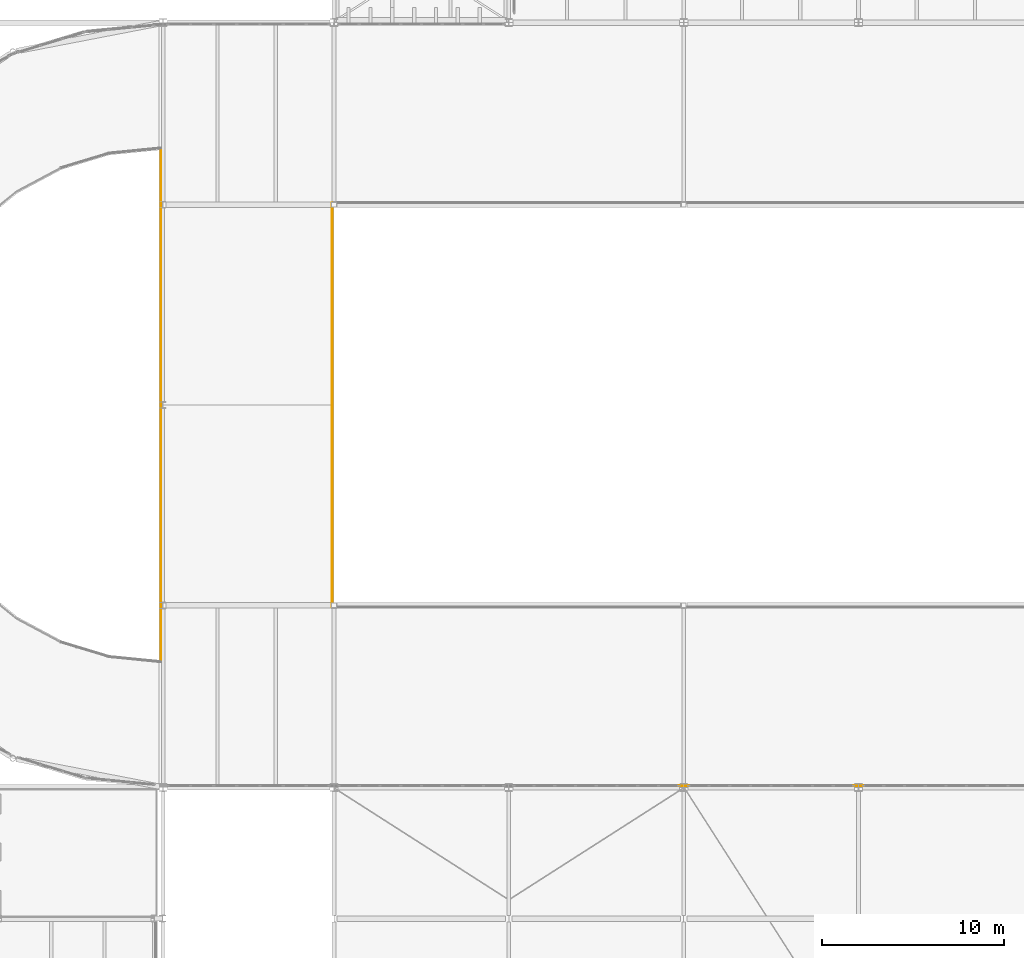
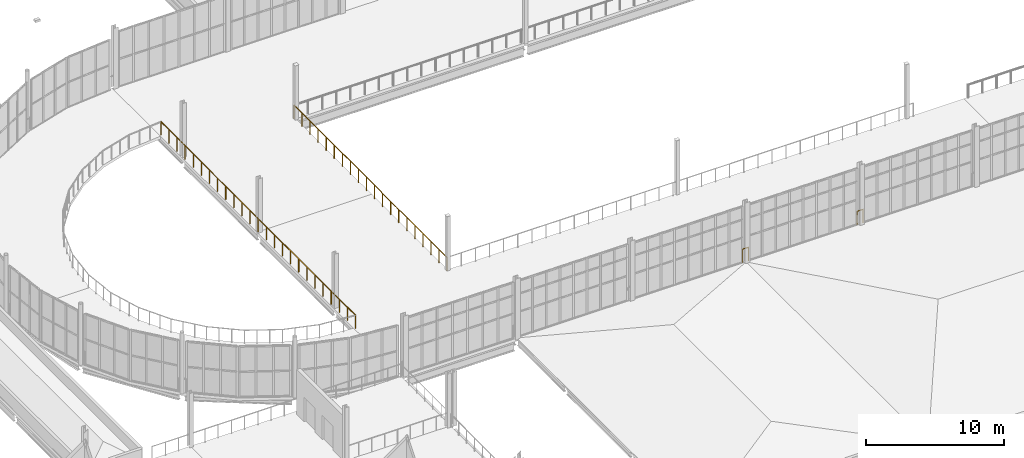
# One storey, part 104 of 112: 4 railings.
"""IFC4 building model written with IfcOpenShell, lengths in metres."""

from ifc_helpers import new_model, si_unit, direction, frame, origin, origin_2d, place, context, subcontext, project, spatial, circle, extrude, material, type_object, element, save


model = new_model("IFC4")

# Units and contexts
model_context = context("Model", 3, precision=1e-05, world=origin(), true_north=direction((0.0, 1.0)))
body_context = subcontext(model_context, "Body", "Model", "MODEL_VIEW")
ifc_project = project(units=[si_unit("LENGTHUNIT", "METRE"), si_unit("AREAUNIT", "SQUARE_METRE"), si_unit("VOLUMEUNIT", "CUBIC_METRE"), si_unit("PLANEANGLEUNIT", "RADIAN"), si_unit("MASSUNIT", "GRAM", prefix="KILO")], contexts=[model_context])

# Site, building, storey
site_placement = place(None, origin())
site = spatial("IfcSite", under=ifc_project, at=site_placement, CompositionType="ELEMENT")
building_placement = place(site_placement, origin())
building = spatial("IfcBuilding", under=site, at=building_placement, Name="Yeouljin Market Hall", CompositionType="ELEMENT")
storey_placement = place(building_placement, frame((0.0, 0.0, 6.0)))
storey = spatial("IfcBuildingStorey", under=building, at=storey_placement, Name="L01", CompositionType="ELEMENT", Elevation=6.0)

# Railings
ifc_material = material(Name="Wrought Iron and Bronze Gallery Balustrade")
railing_type = type_object("IfcRailingType", Name="Railing_AtriumBalustrade_1200", PredefinedType="BALUSTRADE", material=ifc_material)
for number, where, name in (
    (1, (74.050048828125, 36.10009765625, 0.0), "Gallery & deck edge balustrade L01-096"),
    (2, (64.449951171875, 36.10009765625, 0.0), "Gallery & deck edge balustrade L01-097"),
):
    element("IfcRailing", number, at=place(storey_placement, frame(where)), inside=storey, type_object=railing_type, Name=name, PredefinedType="BALUSTRADE", context=body_context, shape_type="SweptSolid", body=[
        extrude(circle(Radius=0.02392578125, at=origin_2d()), frame((0.0, 0.0, 1.17578125), z_axis=(-1.0, 0.0, 0.0), x_axis=(0.0, -1.0, 0.0)), (0.0, 0.0, 1.0), 0.5),
        extrude(circle(Radius=0.02099609375, at=origin_2d()), origin(), (0.0, 0.0, 1.0), 1.15185546875),
        extrude(circle(Radius=0.02099609375, at=origin_2d()), frame((-0.5, 0.0, 0.0)), (0.0, 0.0, 1.0), 1.15185546875),
    ])
railing_1_placement = place(storey_placement, frame((44.89990234375, 68.10009765625, 0.0)))
element("IfcRailing", 3, at=railing_1_placement, inside=storey, type_object=railing_type, Name="Gallery & deck edge balustrade L01-118", PredefinedType="BALUSTRADE", context=body_context, shape_type="SweptSolid", body=[
    extrude(circle(Radius=0.02392578125, at=origin_2d()), frame((0.0, 0.0, 1.17578125), z_axis=(0.0, -1.0, 0.0), x_axis=(1.0, 0.0, 0.0)), (0.0, 0.0, 1.0), 22.2001953125),
    extrude(circle(Radius=0.02099609375, at=origin_2d()), origin(), (0.0, 0.0, 1.0), 1.15185546875),
    extrude(circle(Radius=0.02099609375, at=origin_2d()), frame((0.0, -1.16845703125, 0.0)), (0.0, 0.0, 1.0), 1.15185546875),
    extrude(circle(Radius=0.02099609375, at=origin_2d()), frame((0.0, -2.3369140625, 0.0)), (0.0, 0.0, 1.0), 1.15185546875),
    extrude(circle(Radius=0.02099609375, at=origin_2d()), frame((0.0, -3.50537109375, 0.0)), (0.0, 0.0, 1.0), 1.15185546875),
    extrude(circle(Radius=0.02099609375, at=origin_2d()), frame((0.0, -4.673828125, 0.0)), (0.0, 0.0, 1.0), 1.15185546875),
    extrude(circle(Radius=0.02099609375, at=origin_2d()), frame((0.0, -5.842041015625, 0.0)), (0.0, 0.0, 1.0), 1.15185546875),
    extrude(circle(Radius=0.02099609375, at=origin_2d()), frame((0.0, -7.010498046875, 0.0)), (0.0, 0.0, 1.0), 1.15185546875),
    extrude(circle(Radius=0.02099609375, at=origin_2d()), frame((0.0, -8.178955078125, 0.0)), (0.0, 0.0, 1.0), 1.15185546875),
    extrude(circle(Radius=0.02099609375, at=origin_2d()), frame((0.0, -9.347412109375, 0.0)), (0.0, 0.0, 1.0), 1.15185546875),
    extrude(circle(Radius=0.02099609375, at=origin_2d()), frame((0.0, -10.515869140625, 0.0)), (0.0, 0.0, 1.0), 1.15185546875),
    extrude(circle(Radius=0.02099609375, at=origin_2d()), frame((0.0, -11.684326171875, 0.0)), (0.0, 0.0, 1.0), 1.15185546875),
    extrude(circle(Radius=0.02099609375, at=origin_2d()), frame((0.0, -12.852783203125, 0.0)), (0.0, 0.0, 1.0), 1.15185546875),
    extrude(circle(Radius=0.02099609375, at=origin_2d()), frame((0.0, -14.021240234375, 0.0)), (0.0, 0.0, 1.0), 1.15185546875),
    extrude(circle(Radius=0.02099609375, at=origin_2d()), frame((0.0, -15.189697265625, 0.0)), (0.0, 0.0, 1.0), 1.15185546875),
    extrude(circle(Radius=0.02099609375, at=origin_2d()), frame((0.0, -16.358154296875, 0.0)), (0.0, 0.0, 1.0), 1.15185546875),
    extrude(circle(Radius=0.02099609375, at=origin_2d()), frame((0.0, -17.5263671875, 0.0)), (0.0, 0.0, 1.0), 1.15185546875),
    extrude(circle(Radius=0.02099609375, at=origin_2d()), frame((0.0, -18.69482421875, 0.0)), (0.0, 0.0, 1.0), 1.15185546875),
    extrude(circle(Radius=0.02099609375, at=origin_2d()), frame((0.0, -19.86328125, 0.0)), (0.0, 0.0, 1.0), 1.15185546875),
    extrude(circle(Radius=0.02099609375, at=origin_2d()), frame((0.0, -21.03173828125, 0.0)), (0.0, 0.0, 1.0), 1.15185546875),
    extrude(circle(Radius=0.02099609375, at=origin_2d()), frame((0.0, -22.2001953125, 0.0)), (0.0, 0.0, 1.0), 1.15185546875),
])
railing_2_placement = place(storey_placement, frame((35.5, 42.8896484375, 0.0)))
element("IfcRailing", 4, at=railing_2_placement, inside=storey, type_object=railing_type, Name="Gallery & deck edge balustrade L01-128", PredefinedType="BALUSTRADE", context=body_context, shape_type="SweptSolid", body=[
    extrude(circle(Radius=0.02392578125, at=origin_2d()), frame((0.0, 0.0, 1.17578125), z_axis=(0.0, 1.0, 0.0), x_axis=(-1.0, 0.0, 0.0)), (0.0, 0.0, 1.0), 28.220703125),
    extrude(circle(Radius=0.02099609375, at=origin_2d()), origin(), (0.0, 0.0, 1.0), 1.15185546875),
    extrude(circle(Radius=0.02099609375, at=origin_2d()), frame((0.0, 1.17578125, 0.0)), (0.0, 0.0, 1.0), 1.15185546875),
    extrude(circle(Radius=0.02099609375, at=origin_2d()), frame((0.0, 2.351806640625, 0.0)), (0.0, 0.0, 1.0), 1.15185546875),
    extrude(circle(Radius=0.02099609375, at=origin_2d()), frame((0.0, 3.527587890625, 0.0)), (0.0, 0.0, 1.0), 1.15185546875),
    extrude(circle(Radius=0.02099609375, at=origin_2d()), frame((0.0, 4.703369140625, 0.0)), (0.0, 0.0, 1.0), 1.15185546875),
    extrude(circle(Radius=0.02099609375, at=origin_2d()), frame((0.0, 5.87939453125, 0.0)), (0.0, 0.0, 1.0), 1.15185546875),
    extrude(circle(Radius=0.02099609375, at=origin_2d()), frame((0.0, 7.05517578125, 0.0)), (0.0, 0.0, 1.0), 1.15185546875),
    extrude(circle(Radius=0.02099609375, at=origin_2d()), frame((0.0, 8.23095703125, 0.0)), (0.0, 0.0, 1.0), 1.15185546875),
    extrude(circle(Radius=0.02099609375, at=origin_2d()), frame((0.0, 9.406982421875, 0.0)), (0.0, 0.0, 1.0), 1.15185546875),
    extrude(circle(Radius=0.02099609375, at=origin_2d()), frame((0.0, 10.582763671875, 0.0)), (0.0, 0.0, 1.0), 1.15185546875),
    extrude(circle(Radius=0.02099609375, at=origin_2d()), frame((0.0, 11.758544921875, 0.0)), (0.0, 0.0, 1.0), 1.15185546875),
    extrude(circle(Radius=0.02099609375, at=origin_2d()), frame((0.0, 12.9345703125, 0.0)), (0.0, 0.0, 1.0), 1.15185546875),
    extrude(circle(Radius=0.02099609375, at=origin_2d()), frame((0.0, 14.1103515625, 0.0)), (0.0, 0.0, 1.0), 1.15185546875),
    extrude(circle(Radius=0.02099609375, at=origin_2d()), frame((0.0, 15.2861328125, 0.0)), (0.0, 0.0, 1.0), 1.15185546875),
    extrude(circle(Radius=0.02099609375, at=origin_2d()), frame((0.0, 16.462158203125, 0.0)), (0.0, 0.0, 1.0), 1.15185546875),
    extrude(circle(Radius=0.02099609375, at=origin_2d()), frame((0.0, 17.637939453125, 0.0)), (0.0, 0.0, 1.0), 1.15185546875),
    extrude(circle(Radius=0.02099609375, at=origin_2d()), frame((0.0, 18.813720703125, 0.0)), (0.0, 0.0, 1.0), 1.15185546875),
    extrude(circle(Radius=0.02099609375, at=origin_2d()), frame((0.0, 19.98974609375, 0.0)), (0.0, 0.0, 1.0), 1.15185546875),
    extrude(circle(Radius=0.02099609375, at=origin_2d()), frame((0.0, 21.16552734375, 0.0)), (0.0, 0.0, 1.0), 1.15185546875),
    extrude(circle(Radius=0.02099609375, at=origin_2d()), frame((0.0, 22.34130859375, 0.0)), (0.0, 0.0, 1.0), 1.15185546875),
    extrude(circle(Radius=0.02099609375, at=origin_2d()), frame((0.0, 23.517333984375, 0.0)), (0.0, 0.0, 1.0), 1.15185546875),
    extrude(circle(Radius=0.02099609375, at=origin_2d()), frame((0.0, 24.693115234375, 0.0)), (0.0, 0.0, 1.0), 1.15185546875),
    extrude(circle(Radius=0.02099609375, at=origin_2d()), frame((0.0, 25.868896484375, 0.0)), (0.0, 0.0, 1.0), 1.15185546875),
    extrude(circle(Radius=0.02099609375, at=origin_2d()), frame((0.0, 27.044921875, 0.0)), (0.0, 0.0, 1.0), 1.15185546875),
    extrude(circle(Radius=0.02099609375, at=origin_2d()), frame((0.0, 28.220703125, 0.0)), (0.0, 0.0, 1.0), 1.15185546875),
])

save(model, "model.ifc")
